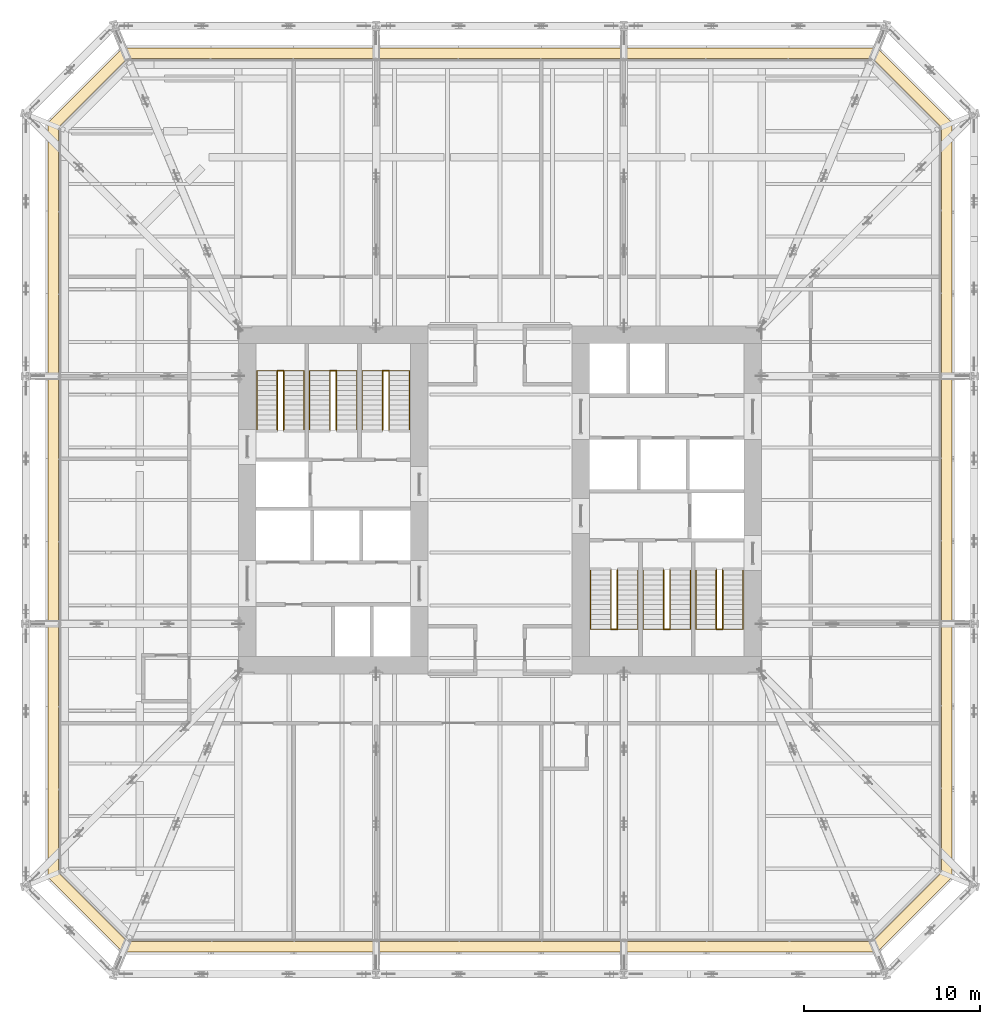
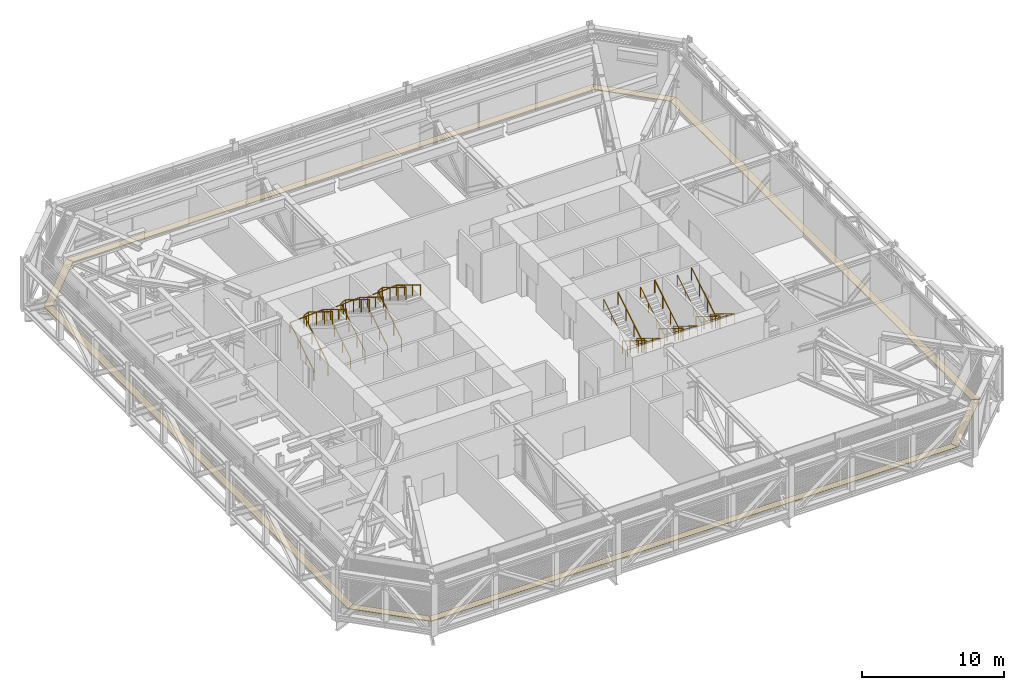
# One storey, part 33 of 33: 12 railings, 8 coverings.
"""IFC4 building model written with IfcOpenShell, lengths in metres."""

import ifcopenshell
import ifcopenshell.guid

model = None  # the IFC model being written
_history = None  # IfcOwnerHistory: only IFC2X3 demands one
_inside = {}  # id of a spatial element -> (the spatial element, [elements in it])
_under = {}  # id of a project, library or spatial element -> (it, [spatial elements below it])
_declared = {}  # id of a project -> (the project, [libraries it declares])
_typed = {}  # id of a type object -> (the type object, [elements of that type])
_made_of = {}  # id of a material, layer set ... -> (it, [elements and type objects made of it])


def new_model(schema):
    """Start an empty IFC model of exactly this schema.

    Asked for "IFC4X3", IfcOpenShell would pick the latest addendum, in which some entities
    have other attributes; the version numbers below select the first issue.
    IFC2X3 requires an IfcOwnerHistory on every rooted entity: one is made here for all.
    """
    global model, _history
    if schema == "IFC4X3":
        model = ifcopenshell.file(schema_version=(4, 3, 0, 0))
    else:
        model = ifcopenshell.file(schema=schema)
    _inside.clear()
    _under.clear()
    _declared.clear()
    _typed.clear()
    _made_of.clear()
    _history = None
    if model.schema == "IFC2X3":
        org = make("IfcOrganization", Name="unknown")
        user = make(
            "IfcPersonAndOrganization",
            ThePerson=make("IfcPerson", FamilyName="unknown"),
            TheOrganization=org,
        )
        app = make(
            "IfcApplication",
            ApplicationDeveloper=org,
            Version="unknown",
            ApplicationFullName="unknown",
            ApplicationIdentifier="unknown",
        )
        _history = make(
            "IfcOwnerHistory",
            OwningUser=user,
            OwningApplication=app,
            ChangeAction="ADDED",
            CreationDate=0,
        )
    return model


def make(cls, **values):
    """One entity of the class cls with the attributes given. An attribute that is None is left unset."""
    return model.create_entity(
        cls, **{name: value for name, value in values.items() if value is not None}
    )


def rooted(cls, **values):
    """An entity with a GlobalId (a new one), such as an element, a storey or a relation."""
    return make(cls, GlobalId=ifcopenshell.guid.new(), OwnerHistory=_history, **values)


def si_unit(unit_type, name, prefix=None):
    """IfcSIUnit, for example si_unit("LENGTHUNIT", "METRE", prefix="MILLI")."""
    return make("IfcSIUnit", UnitType=unit_type, Prefix=prefix, Name=name)


def assignment(units):
    """IfcUnitAssignment: the units of a project."""
    return None if units is None else make("IfcUnitAssignment", Units=units)


def point(xyz):
    """IfcCartesianPoint."""
    return None if xyz is None else make("IfcCartesianPoint", Coordinates=xyz)


def direction(xyz):
    """IfcDirection."""
    return None if xyz is None else make("IfcDirection", DirectionRatios=xyz)


def frame(location, z_axis=None, x_axis=None):
    """IfcAxis2Placement3D, a coordinate frame: its origin and axes. An axis left out is left unset."""
    return make(
        "IfcAxis2Placement3D",
        Location=point(location),
        Axis=direction(z_axis),
        RefDirection=direction(x_axis),
    )


def frame_2d(location, x_axis=None):
    """IfcAxis2Placement2D, a coordinate frame in the plane: its origin and x axis."""
    return make(
        "IfcAxis2Placement2D", Location=point(location), RefDirection=direction(x_axis)
    )


def origin():
    """The frame at (0, 0, 0) with its axes left unset."""
    return frame((0.0, 0.0, 0.0))


def origin_2d():
    """The frame at (0, 0) in the plane with its x axis left unset."""
    return frame_2d((0.0, 0.0))


def place(relative_to, where):
    """IfcLocalPlacement: puts the frame where relative to a parent placement (None: the world)."""
    return make(
        "IfcLocalPlacement", PlacementRelTo=relative_to, RelativePlacement=where
    )


def context(
    kind, dimensions, precision=None, world=None, true_north=None, identifier=None
):
    """IfcGeometricRepresentationContext, for example the 3D "Model" context."""
    return make(
        "IfcGeometricRepresentationContext",
        ContextIdentifier=identifier,
        ContextType=kind,
        CoordinateSpaceDimension=dimensions,
        Precision=precision,
        WorldCoordinateSystem=world,
        TrueNorth=true_north,
    )


def subcontext(parent, identifier, kind, view, scale=None):
    """IfcGeometricRepresentationSubContext, for example "Body" below "Model"."""
    return make(
        "IfcGeometricRepresentationSubContext",
        ContextIdentifier=identifier,
        ContextType=kind,
        ParentContext=parent,
        TargetScale=scale,
        TargetView=view,
    )


def project(units=None, contexts=None):
    """IfcProject with its units and contexts."""
    return rooted(
        "IfcProject",
        Name="project",
        RepresentationContexts=contexts,
        UnitsInContext=assignment(units),
    )


def spatial(cls, under=None, at=None, **own):
    """A site, building, storey or space (cls), placed at a placement, below another one or the project."""
    s = rooted(cls, ObjectPlacement=at, **own)
    if under is not None:
        _under.setdefault(under.id(), (under, []))[1].append(s)
    return s


def polyline(points):
    """IfcPolyline through the points."""
    return make("IfcPolyline", Points=[point(p) for p in points])


def profile(cls, at=None, kind="AREA", **sizes):
    """A parametric profile (cls). Its sizes go by their IFC names, for example OverallWidth=200.0."""
    return make(cls, ProfileType=kind, Position=at, **sizes)


def circle(**sizes):
    """IfcCircleProfileDef."""
    return profile("IfcCircleProfileDef", **sizes)


def outline(outer, holes=None, kind="AREA"):
    """IfcArbitraryClosedProfileDef: a profile drawn as a closed curve; with holes, ...WithVoids."""
    if holes is None:
        return make("IfcArbitraryClosedProfileDef", ProfileType=kind, OuterCurve=outer)
    return make(
        "IfcArbitraryProfileDefWithVoids",
        ProfileType=kind,
        OuterCurve=outer,
        InnerCurves=holes,
    )


def extrude(swept, where, along, depth):
    """IfcExtrudedAreaSolid: the profile swept, set in the frame where, extruded along a direction by depth."""
    return make(
        "IfcExtrudedAreaSolid",
        SweptArea=swept,
        Position=where,
        ExtrudedDirection=direction(along),
        Depth=depth,
    )


def shape(context_of_items, identifier, shape_type, items):
    """IfcShapeRepresentation: the items that make up one representation, for example the "Body"."""
    return make(
        "IfcShapeRepresentation",
        ContextOfItems=context_of_items,
        RepresentationIdentifier=identifier,
        RepresentationType=shape_type,
        Items=items,
    )


def material(Name=None, Category=None):
    """IfcMaterial."""
    return make("IfcMaterial", Name=Name, Category=Category)


def layer(
    of_material, thickness, ventilated=None, Name=None, Category=None, Priority=None
):
    """IfcMaterialLayer: one layer of a wall or slab, of a material (None: an air gap)."""
    return make(
        "IfcMaterialLayer",
        Material=of_material,
        LayerThickness=thickness,
        IsVentilated=ventilated,
        Name=Name,
        Category=Category,
        Priority=Priority,
    )


def layer_set(layers, Name=None):
    """IfcMaterialLayerSet."""
    return make("IfcMaterialLayerSet", MaterialLayers=layers, LayerSetName=Name)


def made_of(thing, what):
    """Note that an element or type object is made of a material, layer set ...; save() writes the relation."""
    if what is not None:
        _made_of.setdefault(what.id(), (what, []))[1].append(thing)
    return thing


def type_object(cls, material=None, **own):
    """A type object (cls), such as IfcWallType, which elements share."""
    return made_of(rooted(cls, **own), material)


def element(
    cls,
    number,
    at=None,
    inside=None,
    cuts=None,
    type_object=None,
    material=None,
    context=None,
    identifier="Body",
    shape_type=None,
    held_by="IfcProductDefinitionShape",
    body=None,
    shapes=None,
    **own,
):
    """One element of the class cls, such as IfcWall. Its Tag is "e" and its number.

    at: its placement. inside: the storey or other place that contains it. cuts: it is an
    opening in that element (IfcRelVoidsElement). A single representation is given by context,
    identifier, shape_type and body (its items); several are given by shapes. held_by: the class
    of the entity that holds the representations. save() writes the other relations.
    """
    e = rooted(cls, Tag="e%d" % number, ObjectPlacement=at, **own)
    if body is not None:
        shapes = [shape(context, identifier, shape_type, body)]
    if shapes is not None:
        e.Representation = make(held_by, Representations=shapes)
    if inside is not None:
        _inside.setdefault(inside.id(), (inside, []))[1].append(e)
    if cuts is not None:
        rooted(
            "IfcRelVoidsElement", RelatingBuildingElement=cuts, RelatedOpeningElement=e
        )
    if type_object is not None:
        _typed.setdefault(type_object.id(), (type_object, []))[1].append(e)
    return made_of(e, material)


def aggregate(whole, parts):
    """IfcRelAggregates: a whole, such as a stair, and the parts it consists of."""
    return rooted("IfcRelAggregates", RelatingObject=whole, RelatedObjects=parts)


def save(model, path):
    """Write the relations noted so far, then the file.

    IfcRelAggregates (storeys below a building ...), IfcRelContainedInSpatialStructure (elements
    in a storey), IfcRelDefinesByType, IfcRelAssociatesMaterial and IfcRelDeclares: one each for
    every whole, place, type object, material and project.
    """
    for whole, parts in _under.values():
        aggregate(whole, parts)
    for where, things in _inside.values():
        rooted(
            "IfcRelContainedInSpatialStructure",
            RelatedElements=things,
            RelatingStructure=where,
        )
    for kind, things in _typed.values():
        rooted("IfcRelDefinesByType", RelatedObjects=things, RelatingType=kind)
    for what, things in _made_of.values():
        rooted("IfcRelAssociatesMaterial", RelatedObjects=things, RelatingMaterial=what)
    for by, libraries in _declared.values():
        rooted("IfcRelDeclares", RelatingContext=by, RelatedDefinitions=libraries)
    model.write(path)


model = new_model("IFC4")

# Units and contexts
model_context = context("Model", 3, precision=1e-05, world=origin(), true_north=direction((0.0, 1.0)))
body_context = subcontext(model_context, "Body", "Model", "MODEL_VIEW")
ifc_project = project(units=[si_unit("LENGTHUNIT", "METRE"), si_unit("AREAUNIT", "SQUARE_METRE"), si_unit("VOLUMEUNIT", "CUBIC_METRE"), si_unit("PLANEANGLEUNIT", "RADIAN"), si_unit("MASSUNIT", "GRAM", prefix="KILO")], contexts=[model_context])

# Site, building, storey
site_placement = place(None, origin())
site = spatial("IfcSite", under=ifc_project, at=site_placement, CompositionType="ELEMENT")
building_placement = place(site_placement, origin())
building = spatial("IfcBuilding", under=site, at=building_placement, Name="Millrace Tower", CompositionType="ELEMENT")
storey_placement = place(building_placement, frame((0.0, 0.0, 64.10009765625)))
storey = spatial("IfcBuildingStorey", under=building, at=storey_placement, Name="L14", CompositionType="ELEMENT", Elevation=64.10009765625)

# Coverings
ifc_material_1 = material(Name="Steel ASTM A36", Category="steel")
ifc_layer = layer(ifc_material_1, 0.050048828125)
ifc_layer_set = layer_set([ifc_layer], Name="Steel ASTM A36")
covering_type = type_object("IfcCoveringType", Name="CAVITY CATWALK steel grating", PredefinedType="FLOORING", material=ifc_layer_set)
placement = place(storey_placement, frame((0.0, 0.0, 0.099853515625)))
element("IfcCovering", 1, at=placement, inside=storey, type_object=covering_type, Name="Cavity catwalk grating A-F01 L14 1", PredefinedType="FLOORING", context=body_context, shape_type="SweptSolid", body=[
    extrude(outline(polyline([(-25.75, -21.460693359375), (-21.460693359375, -25.75), (-21.212158203125, -25.14990234375), (-25.14990234375, -21.212158203125), (-25.75, -21.460693359375)])), origin(), (0.0, 0.0, 1.0), 0.050048828125),
])
element("IfcCovering", 2, at=placement, inside=storey, type_object=covering_type, Name="Cavity catwalk grating A-F02 L14 1", PredefinedType="FLOORING", context=body_context, shape_type="SweptSolid", body=[
    extrude(outline(polyline([(-21.460693359375, -25.75), (21.460693359375, -25.75), (21.212158203125, -25.14990234375), (-21.212158203125, -25.14990234375), (-21.460693359375, -25.75)])), origin(), (0.0, 0.0, 1.0), 0.050048828125),
])
element("IfcCovering", 3, at=placement, inside=storey, type_object=covering_type, Name="Cavity catwalk grating A-F03 L14 1", PredefinedType="FLOORING", context=body_context, shape_type="SweptSolid", body=[
    extrude(outline(polyline([(21.460693359375, -25.75), (25.75, -21.460693359375), (25.14990234375, -21.212158203125), (21.212158203125, -25.14990234375), (21.460693359375, -25.75)])), origin(), (0.0, 0.0, 1.0), 0.050048828125),
])
element("IfcCovering", 4, at=placement, inside=storey, type_object=covering_type, Name="Cavity catwalk grating A-F04 L14 1", PredefinedType="FLOORING", context=body_context, shape_type="SweptSolid", body=[
    extrude(outline(polyline([(25.75, -21.460693359375), (25.75, 21.460693359375), (25.14990234375, 21.212158203125), (25.14990234375, -21.212158203125), (25.75, -21.460693359375)])), origin(), (0.0, 0.0, 1.0), 0.050048828125),
])
element("IfcCovering", 5, at=placement, inside=storey, type_object=covering_type, Name="Cavity catwalk grating A-F05 L14 1", PredefinedType="FLOORING", context=body_context, shape_type="SweptSolid", body=[
    extrude(outline(polyline([(25.75, 21.460693359375), (21.460693359375, 25.75), (21.212158203125, 25.14990234375), (25.14990234375, 21.212158203125), (25.75, 21.460693359375)])), origin(), (0.0, 0.0, 1.0), 0.050048828125),
])
element("IfcCovering", 6, at=placement, inside=storey, type_object=covering_type, Name="Cavity catwalk grating A-F06 L14 1", PredefinedType="FLOORING", context=body_context, shape_type="SweptSolid", body=[
    extrude(outline(polyline([(21.460693359375, 25.75), (-21.460693359375, 25.75), (-21.212158203125, 25.14990234375), (21.212158203125, 25.14990234375), (21.460693359375, 25.75)])), origin(), (0.0, 0.0, 1.0), 0.050048828125),
])
element("IfcCovering", 7, at=placement, inside=storey, type_object=covering_type, Name="Cavity catwalk grating A-F07 L14 1", PredefinedType="FLOORING", context=body_context, shape_type="SweptSolid", body=[
    extrude(outline(polyline([(-21.460693359375, 25.75), (-25.75, 21.460693359375), (-25.14990234375, 21.212158203125), (-21.212158203125, 25.14990234375), (-21.460693359375, 25.75)])), origin(), (0.0, 0.0, 1.0), 0.050048828125),
])
element("IfcCovering", 8, at=placement, inside=storey, type_object=covering_type, Name="Cavity catwalk grating A-F08 L14 1", PredefinedType="FLOORING", context=body_context, shape_type="SweptSolid", body=[
    extrude(outline(polyline([(-25.75, 21.460693359375), (-25.75, -21.460693359375), (-25.14990234375, -21.212158203125), (-25.14990234375, 21.212158203125), (-25.75, 21.460693359375)])), origin(), (0.0, 0.0, 1.0), 0.050048828125),
])

# Railings
ifc_material_2 = material(Name="Stainless steel ASTM A240 type 316", Category="steel")
railing_type_1 = type_object("IfcRailingType", Name="Stair guard 1100", PredefinedType="GUARDRAIL", material=ifc_material_2)
for number, where, name in (
    (9, (-12.679931640625, 4.0, 0.173095703125), "Stair guard 1 W L14"),
    (10, (-9.679931640625, 4.0, 0.173095703125), "Stair guard 2 W L14"),
    (11, (-6.679931640625, 4.0, 0.173095703125), "Stair guard 3 W L14"),
):
    element("IfcRailing", number, at=place(storey_placement, frame(where)), inside=storey, type_object=railing_type_1, Name=name, PredefinedType="GUARDRAIL", context=body_context, shape_type="SweptSolid", body=[
        extrude(circle(Radius=0.02392578125, at=origin_2d()), frame((0.0, 0.0, 1.076171875), z_axis=(0.0, 0.850623216509, 0.525775754039), x_axis=(-1.0, 0.0, 0.0)), (0.0, 0.0, 1.0), 3.9501953125),
        extrude(circle(Radius=0.02392578125, at=origin_2d()), frame((0.0, 3.360107421875, 3.15283203125), z_axis=(0.901169764794, 0.0, 0.433466325128), x_axis=(0.0, 1.0, 0.0)), (0.0, 0.0, 1.0), 0.3994140625),
        extrude(circle(Radius=0.02392578125, at=origin_2d()), frame((0.35986328125, 3.360107421875, 3.326171875), z_axis=(0.0, -0.850623216509, 0.525775754039), x_axis=(1.0, 0.0, 0.0)), (0.0, 0.0, 1.0), 3.9501953125),
        extrude(circle(Radius=0.02099609375, at=origin_2d()), origin(), (0.0, 0.0, 1.0), 1.052001953125),
        extrude(circle(Radius=0.02099609375, at=origin_2d()), frame((0.0, 1.1201171875, 0.6923828125)), (0.0, 0.0, 1.0), 1.052001953125),
        extrude(circle(Radius=0.02099609375, at=origin_2d()), frame((0.0, 2.239990234375, 1.384521484375)), (0.0, 0.0, 1.0), 1.052001953125),
        extrude(circle(Radius=0.02099609375, at=origin_2d()), frame((0.0, 3.360107421875, 2.076904296875)), (0.0, 0.0, 1.0), 1.052001953125),
        extrude(circle(Radius=0.02099609375, at=origin_2d()), frame((0.35986328125, 3.360107421875, 2.25)), (0.0, 0.0, 1.0), 1.052001953125),
        extrude(circle(Radius=0.02099609375, at=origin_2d()), frame((0.35986328125, 2.239990234375, 2.9423828125)), (0.0, 0.0, 1.0), 1.052001953125),
        extrude(circle(Radius=0.02099609375, at=origin_2d()), frame((0.35986328125, 1.1201171875, 3.634521484375)), (0.0, 0.0, 1.0), 1.052001953125),
        extrude(circle(Radius=0.02099609375, at=origin_2d()), frame((0.35986328125, 0.0, 4.326904296875)), (0.0, 0.0, 1.0), 1.052001953125),
    ])
for number, where, name in (
    (12, (12.679931640625, -4.0, 0.173095703125), "Stair guard 1 E L14"),
    (13, (9.679931640625, -4.0, 0.173095703125), "Stair guard 2 E L14"),
    (14, (6.679931640625, -4.0, 0.173095703125), "Stair guard 3 E L14"),
):
    element("IfcRailing", number, at=place(storey_placement, frame(where)), inside=storey, type_object=railing_type_1, Name=name, PredefinedType="GUARDRAIL", context=body_context, shape_type="SweptSolid", body=[
        extrude(circle(Radius=0.02392578125, at=origin_2d()), frame((0.0, 0.0, 1.076171875), z_axis=(0.0, -0.850623216509, 0.525775754039), x_axis=(1.0, 0.0, 0.0)), (0.0, 0.0, 1.0), 3.9501953125),
        extrude(circle(Radius=0.02392578125, at=origin_2d()), frame((0.0, -3.360107421875, 3.15283203125), z_axis=(-0.901169764794, 0.0, 0.433466325128), x_axis=(0.0, -1.0, 0.0)), (0.0, 0.0, 1.0), 0.3994140625),
        extrude(circle(Radius=0.02392578125, at=origin_2d()), frame((-0.35986328125, -3.360107421875, 3.326171875), z_axis=(0.0, 0.850623216509, 0.525775754039), x_axis=(-1.0, 0.0, 0.0)), (0.0, 0.0, 1.0), 3.9501953125),
        extrude(circle(Radius=0.02099609375, at=origin_2d()), origin(), (0.0, 0.0, 1.0), 1.052001953125),
        extrude(circle(Radius=0.02099609375, at=origin_2d()), frame((0.0, -1.1201171875, 0.6923828125)), (0.0, 0.0, 1.0), 1.052001953125),
        extrude(circle(Radius=0.02099609375, at=origin_2d()), frame((0.0, -2.239990234375, 1.384521484375)), (0.0, 0.0, 1.0), 1.052001953125),
        extrude(circle(Radius=0.02099609375, at=origin_2d()), frame((0.0, -3.360107421875, 2.076904296875)), (0.0, 0.0, 1.0), 1.052001953125),
        extrude(circle(Radius=0.02099609375, at=origin_2d()), frame((-0.35986328125, -3.360107421875, 2.25)), (0.0, 0.0, 1.0), 1.052001953125),
        extrude(circle(Radius=0.02099609375, at=origin_2d()), frame((-0.35986328125, -2.239990234375, 2.9423828125)), (0.0, 0.0, 1.0), 1.052001953125),
        extrude(circle(Radius=0.02099609375, at=origin_2d()), frame((-0.35986328125, -1.1201171875, 3.634521484375)), (0.0, 0.0, 1.0), 1.052001953125),
        extrude(circle(Radius=0.02099609375, at=origin_2d()), frame((-0.35986328125, 0.0, 4.326904296875)), (0.0, 0.0, 1.0), 1.052001953125),
    ])
ifc_material_3 = material(Name="Stainless steel ASTM A240 type 316", Category="steel")
railing_type_2 = type_object("IfcRailingType", Name="Stair handrail 900", PredefinedType="HANDRAIL", material=ifc_material_3)
railing_1_placement = place(storey_placement, frame((-13.840087890625, 4.0, 0.173095703125)))
element("IfcRailing", 15, at=railing_1_placement, inside=storey, type_object=railing_type_2, Name="Stair handrail 1 W L14", PredefinedType="HANDRAIL", context=body_context, shape_type="SweptSolid", body=[
    extrude(circle(Radius=0.02392578125, at=origin_2d()), frame((0.0, 0.0, 0.8759765625), z_axis=(0.0, 0.850623216509, 0.525775754039), x_axis=(-1.0, 0.0, 0.0)), (0.0, 0.0, 1.0), 3.9501953125),
    extrude(circle(Radius=0.02392578125, at=origin_2d()), frame((0.0, 3.360107421875, 2.95263671875), z_axis=(0.997920973561, 0.0, 0.064449441634), x_axis=(0.0, 1.0, 0.0)), (0.0, 0.0, 1.0), 2.685791015625),
    extrude(circle(Radius=0.02392578125, at=origin_2d()), frame((2.68017578125, 3.360107421875, 3.1259765625), z_axis=(0.0, -0.850623216509, 0.525775754039), x_axis=(1.0, 0.0, 0.0)), (0.0, 0.0, 1.0), 3.9501953125),
    extrude(circle(Radius=0.02099609375, at=origin_2d()), origin(), (0.0, 0.0, 1.0), 0.851806640625),
    extrude(circle(Radius=0.02099609375, at=origin_2d()), frame((0.0, 1.1201171875, 0.6923828125)), (0.0, 0.0, 1.0), 0.851806640625),
    extrude(circle(Radius=0.02099609375, at=origin_2d()), frame((0.0, 2.239990234375, 1.384521484375)), (0.0, 0.0, 1.0), 0.851806640625),
    extrude(circle(Radius=0.02099609375, at=origin_2d()), frame((0.0, 3.360107421875, 2.076904296875)), (0.0, 0.0, 1.0), 0.851806640625),
    extrude(circle(Radius=0.02099609375, at=origin_2d()), frame((1.340087890625, 3.360107421875, 2.16357421875)), (0.0, 0.0, 1.0), 0.851806640625),
    extrude(circle(Radius=0.02099609375, at=origin_2d()), frame((2.68017578125, 3.360107421875, 2.25)), (0.0, 0.0, 1.0), 0.851806640625),
    extrude(circle(Radius=0.02099609375, at=origin_2d()), frame((2.68017578125, 2.239990234375, 2.9423828125)), (0.0, 0.0, 1.0), 0.851806640625),
    extrude(circle(Radius=0.02099609375, at=origin_2d()), frame((2.68017578125, 1.1201171875, 3.634521484375)), (0.0, 0.0, 1.0), 0.851806640625),
    extrude(circle(Radius=0.02099609375, at=origin_2d()), frame((2.68017578125, 0.0, 4.326904296875)), (0.0, 0.0, 1.0), 0.851806640625),
])
railing_2_placement = place(storey_placement, frame((-10.840087890625, 4.0, 0.173095703125)))
element("IfcRailing", 16, at=railing_2_placement, inside=storey, type_object=railing_type_2, Name="Stair handrail 2 W L14", PredefinedType="HANDRAIL", context=body_context, shape_type="SweptSolid", body=[
    extrude(circle(Radius=0.02392578125, at=origin_2d()), frame((0.0, 0.0, 0.8759765625), z_axis=(0.0, 0.850623216509, 0.525775754039), x_axis=(-1.0, 0.0, 0.0)), (0.0, 0.0, 1.0), 3.9501953125),
    extrude(circle(Radius=0.02392578125, at=origin_2d()), frame((0.0, 3.360107421875, 2.95263671875), z_axis=(0.997920973561, 0.0, 0.064449441634), x_axis=(0.0, 1.0, 0.0)), (0.0, 0.0, 1.0), 2.685791015625),
    extrude(circle(Radius=0.02392578125, at=origin_2d()), frame((2.68017578125, 3.360107421875, 3.1259765625), z_axis=(0.0, -0.850623216509, 0.525775754039), x_axis=(1.0, 0.0, 0.0)), (0.0, 0.0, 1.0), 3.9501953125),
    extrude(circle(Radius=0.02099609375, at=origin_2d()), origin(), (0.0, 0.0, 1.0), 0.851806640625),
    extrude(circle(Radius=0.02099609375, at=origin_2d()), frame((0.0, 1.1201171875, 0.6923828125)), (0.0, 0.0, 1.0), 0.851806640625),
    extrude(circle(Radius=0.02099609375, at=origin_2d()), frame((0.0, 2.239990234375, 1.384521484375)), (0.0, 0.0, 1.0), 0.851806640625),
    extrude(circle(Radius=0.02099609375, at=origin_2d()), frame((0.0, 3.360107421875, 2.076904296875)), (0.0, 0.0, 1.0), 0.851806640625),
    extrude(circle(Radius=0.02099609375, at=origin_2d()), frame((1.340087890625, 3.360107421875, 2.16357421875)), (0.0, 0.0, 1.0), 0.851806640625),
    extrude(circle(Radius=0.02099609375, at=origin_2d()), frame((2.68017578125, 3.360107421875, 2.25)), (0.0, 0.0, 1.0), 0.851806640625),
    extrude(circle(Radius=0.02099609375, at=origin_2d()), frame((2.68017578125, 2.239990234375, 2.9423828125)), (0.0, 0.0, 1.0), 0.851806640625),
    extrude(circle(Radius=0.02099609375, at=origin_2d()), frame((2.68017578125, 1.1201171875, 3.634521484375)), (0.0, 0.0, 1.0), 0.851806640625),
    extrude(circle(Radius=0.02099609375, at=origin_2d()), frame((2.68017578125, 0.0, 4.326904296875)), (0.0, 0.0, 1.0), 0.851806640625),
])
railing_3_placement = place(storey_placement, frame((-7.840087890625, 4.0, 0.173095703125)))
element("IfcRailing", 17, at=railing_3_placement, inside=storey, type_object=railing_type_2, Name="Stair handrail 3 W L14", PredefinedType="HANDRAIL", context=body_context, shape_type="SweptSolid", body=[
    extrude(circle(Radius=0.02392578125, at=origin_2d()), frame((0.0, 0.0, 0.8759765625), z_axis=(0.0, 0.850623216509, 0.525775754039), x_axis=(-1.0, 0.0, 0.0)), (0.0, 0.0, 1.0), 3.9501953125),
    extrude(circle(Radius=0.02392578125, at=origin_2d()), frame((0.0, 3.360107421875, 2.95263671875), z_axis=(0.997920973561, 0.0, 0.064449441634), x_axis=(0.0, 1.0, 0.0)), (0.0, 0.0, 1.0), 2.685791015625),
    extrude(circle(Radius=0.02392578125, at=origin_2d()), frame((2.68017578125, 3.360107421875, 3.1259765625), z_axis=(0.0, -0.850623216509, 0.525775754039), x_axis=(1.0, 0.0, 0.0)), (0.0, 0.0, 1.0), 3.9501953125),
    extrude(circle(Radius=0.02099609375, at=origin_2d()), origin(), (0.0, 0.0, 1.0), 0.851806640625),
    extrude(circle(Radius=0.02099609375, at=origin_2d()), frame((0.0, 1.1201171875, 0.6923828125)), (0.0, 0.0, 1.0), 0.851806640625),
    extrude(circle(Radius=0.02099609375, at=origin_2d()), frame((0.0, 2.239990234375, 1.384521484375)), (0.0, 0.0, 1.0), 0.851806640625),
    extrude(circle(Radius=0.02099609375, at=origin_2d()), frame((0.0, 3.360107421875, 2.076904296875)), (0.0, 0.0, 1.0), 0.851806640625),
    extrude(circle(Radius=0.02099609375, at=origin_2d()), frame((1.340087890625, 3.360107421875, 2.16357421875)), (0.0, 0.0, 1.0), 0.851806640625),
    extrude(circle(Radius=0.02099609375, at=origin_2d()), frame((2.68017578125, 3.360107421875, 2.25)), (0.0, 0.0, 1.0), 0.851806640625),
    extrude(circle(Radius=0.02099609375, at=origin_2d()), frame((2.68017578125, 2.239990234375, 2.9423828125)), (0.0, 0.0, 1.0), 0.851806640625),
    extrude(circle(Radius=0.02099609375, at=origin_2d()), frame((2.68017578125, 1.1201171875, 3.634521484375)), (0.0, 0.0, 1.0), 0.851806640625),
    extrude(circle(Radius=0.02099609375, at=origin_2d()), frame((2.68017578125, 0.0, 4.326904296875)), (0.0, 0.0, 1.0), 0.851806640625),
])
railing_4_placement = place(storey_placement, frame((13.840087890625, -4.0, 0.173095703125)))
element("IfcRailing", 18, at=railing_4_placement, inside=storey, type_object=railing_type_2, Name="Stair handrail 1 E L14", PredefinedType="HANDRAIL", context=body_context, shape_type="SweptSolid", body=[
    extrude(circle(Radius=0.02392578125, at=origin_2d()), frame((0.0, 0.0, 0.8759765625), z_axis=(0.0, -0.850623216509, 0.525775754039), x_axis=(1.0, 0.0, 0.0)), (0.0, 0.0, 1.0), 3.9501953125),
    extrude(circle(Radius=0.02392578125, at=origin_2d()), frame((0.0, -3.360107421875, 2.95263671875), z_axis=(-0.997920973561, 0.0, 0.064449441634), x_axis=(0.0, -1.0, 0.0)), (0.0, 0.0, 1.0), 2.685791015625),
    extrude(circle(Radius=0.02392578125, at=origin_2d()), frame((-2.68017578125, -3.360107421875, 3.1259765625), z_axis=(0.0, 0.850623216509, 0.525775754039), x_axis=(-1.0, 0.0, 0.0)), (0.0, 0.0, 1.0), 3.9501953125),
    extrude(circle(Radius=0.02099609375, at=origin_2d()), origin(), (0.0, 0.0, 1.0), 0.851806640625),
    extrude(circle(Radius=0.02099609375, at=origin_2d()), frame((0.0, -1.1201171875, 0.6923828125)), (0.0, 0.0, 1.0), 0.851806640625),
    extrude(circle(Radius=0.02099609375, at=origin_2d()), frame((0.0, -2.239990234375, 1.384521484375)), (0.0, 0.0, 1.0), 0.851806640625),
    extrude(circle(Radius=0.02099609375, at=origin_2d()), frame((0.0, -3.360107421875, 2.076904296875)), (0.0, 0.0, 1.0), 0.851806640625),
    extrude(circle(Radius=0.02099609375, at=origin_2d()), frame((-1.340087890625, -3.360107421875, 2.16357421875)), (0.0, 0.0, 1.0), 0.851806640625),
    extrude(circle(Radius=0.02099609375, at=origin_2d()), frame((-2.68017578125, -3.360107421875, 2.25)), (0.0, 0.0, 1.0), 0.851806640625),
    extrude(circle(Radius=0.02099609375, at=origin_2d()), frame((-2.68017578125, -2.239990234375, 2.9423828125)), (0.0, 0.0, 1.0), 0.851806640625),
    extrude(circle(Radius=0.02099609375, at=origin_2d()), frame((-2.68017578125, -1.1201171875, 3.634521484375)), (0.0, 0.0, 1.0), 0.851806640625),
    extrude(circle(Radius=0.02099609375, at=origin_2d()), frame((-2.68017578125, 0.0, 4.326904296875)), (0.0, 0.0, 1.0), 0.851806640625),
])
railing_5_placement = place(storey_placement, frame((10.840087890625, -4.0, 0.173095703125)))
element("IfcRailing", 19, at=railing_5_placement, inside=storey, type_object=railing_type_2, Name="Stair handrail 2 E L14", PredefinedType="HANDRAIL", context=body_context, shape_type="SweptSolid", body=[
    extrude(circle(Radius=0.02392578125, at=origin_2d()), frame((0.0, 0.0, 0.8759765625), z_axis=(0.0, -0.850623216509, 0.525775754039), x_axis=(1.0, 0.0, 0.0)), (0.0, 0.0, 1.0), 3.9501953125),
    extrude(circle(Radius=0.02392578125, at=origin_2d()), frame((0.0, -3.360107421875, 2.95263671875), z_axis=(-0.997920973561, 0.0, 0.064449441634), x_axis=(0.0, -1.0, 0.0)), (0.0, 0.0, 1.0), 2.685791015625),
    extrude(circle(Radius=0.02392578125, at=origin_2d()), frame((-2.68017578125, -3.360107421875, 3.1259765625), z_axis=(0.0, 0.850623216509, 0.525775754039), x_axis=(-1.0, 0.0, 0.0)), (0.0, 0.0, 1.0), 3.9501953125),
    extrude(circle(Radius=0.02099609375, at=origin_2d()), origin(), (0.0, 0.0, 1.0), 0.851806640625),
    extrude(circle(Radius=0.02099609375, at=origin_2d()), frame((0.0, -1.1201171875, 0.6923828125)), (0.0, 0.0, 1.0), 0.851806640625),
    extrude(circle(Radius=0.02099609375, at=origin_2d()), frame((0.0, -2.239990234375, 1.384521484375)), (0.0, 0.0, 1.0), 0.851806640625),
    extrude(circle(Radius=0.02099609375, at=origin_2d()), frame((0.0, -3.360107421875, 2.076904296875)), (0.0, 0.0, 1.0), 0.851806640625),
    extrude(circle(Radius=0.02099609375, at=origin_2d()), frame((-1.340087890625, -3.360107421875, 2.16357421875)), (0.0, 0.0, 1.0), 0.851806640625),
    extrude(circle(Radius=0.02099609375, at=origin_2d()), frame((-2.68017578125, -3.360107421875, 2.25)), (0.0, 0.0, 1.0), 0.851806640625),
    extrude(circle(Radius=0.02099609375, at=origin_2d()), frame((-2.68017578125, -2.239990234375, 2.9423828125)), (0.0, 0.0, 1.0), 0.851806640625),
    extrude(circle(Radius=0.02099609375, at=origin_2d()), frame((-2.68017578125, -1.1201171875, 3.634521484375)), (0.0, 0.0, 1.0), 0.851806640625),
    extrude(circle(Radius=0.02099609375, at=origin_2d()), frame((-2.68017578125, 0.0, 4.326904296875)), (0.0, 0.0, 1.0), 0.851806640625),
])
railing_6_placement = place(storey_placement, frame((7.840087890625, -4.0, 0.173095703125)))
element("IfcRailing", 20, at=railing_6_placement, inside=storey, type_object=railing_type_2, Name="Stair handrail 3 E L14", PredefinedType="HANDRAIL", context=body_context, shape_type="SweptSolid", body=[
    extrude(circle(Radius=0.02392578125, at=origin_2d()), frame((0.0, 0.0, 0.8759765625), z_axis=(0.0, -0.850623216509, 0.525775754039), x_axis=(1.0, 0.0, 0.0)), (0.0, 0.0, 1.0), 3.9501953125),
    extrude(circle(Radius=0.02392578125, at=origin_2d()), frame((0.0, -3.360107421875, 2.95263671875), z_axis=(-0.997920973561, 0.0, 0.064449441634), x_axis=(0.0, -1.0, 0.0)), (0.0, 0.0, 1.0), 2.685791015625),
    extrude(circle(Radius=0.02392578125, at=origin_2d()), frame((-2.68017578125, -3.360107421875, 3.1259765625), z_axis=(0.0, 0.850623216509, 0.525775754039), x_axis=(-1.0, 0.0, 0.0)), (0.0, 0.0, 1.0), 3.9501953125),
    extrude(circle(Radius=0.02099609375, at=origin_2d()), origin(), (0.0, 0.0, 1.0), 0.851806640625),
    extrude(circle(Radius=0.02099609375, at=origin_2d()), frame((0.0, -1.1201171875, 0.6923828125)), (0.0, 0.0, 1.0), 0.851806640625),
    extrude(circle(Radius=0.02099609375, at=origin_2d()), frame((0.0, -2.239990234375, 1.384521484375)), (0.0, 0.0, 1.0), 0.851806640625),
    extrude(circle(Radius=0.02099609375, at=origin_2d()), frame((0.0, -3.360107421875, 2.076904296875)), (0.0, 0.0, 1.0), 0.851806640625),
    extrude(circle(Radius=0.02099609375, at=origin_2d()), frame((-1.340087890625, -3.360107421875, 2.16357421875)), (0.0, 0.0, 1.0), 0.851806640625),
    extrude(circle(Radius=0.02099609375, at=origin_2d()), frame((-2.68017578125, -3.360107421875, 2.25)), (0.0, 0.0, 1.0), 0.851806640625),
    extrude(circle(Radius=0.02099609375, at=origin_2d()), frame((-2.68017578125, -2.239990234375, 2.9423828125)), (0.0, 0.0, 1.0), 0.851806640625),
    extrude(circle(Radius=0.02099609375, at=origin_2d()), frame((-2.68017578125, -1.1201171875, 3.634521484375)), (0.0, 0.0, 1.0), 0.851806640625),
    extrude(circle(Radius=0.02099609375, at=origin_2d()), frame((-2.68017578125, 0.0, 4.326904296875)), (0.0, 0.0, 1.0), 0.851806640625),
])

save(model, "model.ifc")
